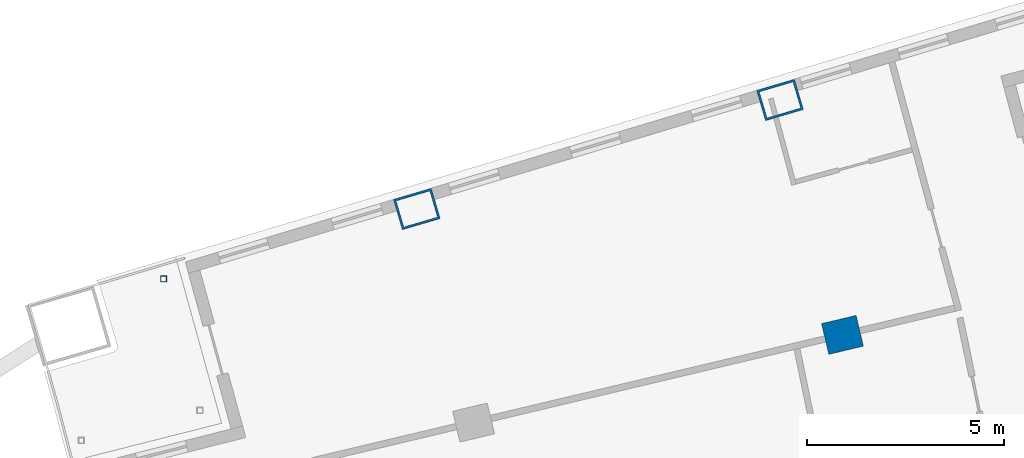
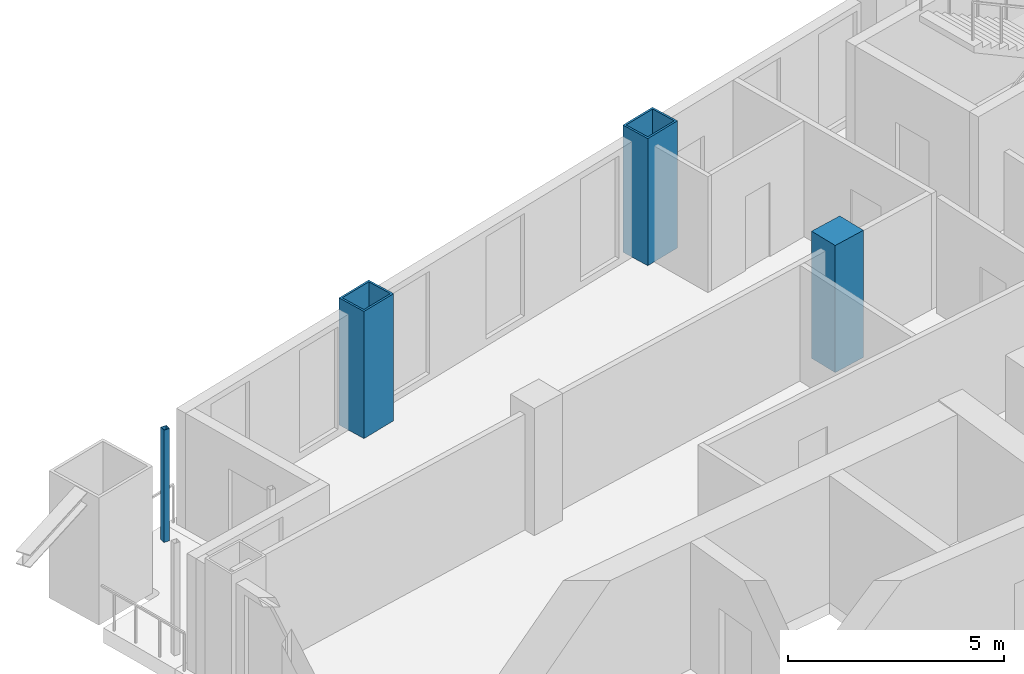
# One storey, part 7 of 19: 4 columns.
"""IFC4 building model written with IfcOpenShell, lengths in metres."""

from ifc_helpers import new_model, si_unit, direction, frame, origin, origin_2d, place, context, subcontext, project, spatial, rectangle, hollow_rectangle, extrude, material, material_profile, profile_set, type_object, element, save


model = new_model("IFC4")

# Units and contexts
model_context = context("Model", 3, precision=1e-05, world=origin(), true_north=direction((0.0, 1.0)))
body_context = subcontext(model_context, "Body", "Model", "MODEL_VIEW")
ifc_project = project(units=[si_unit("LENGTHUNIT", "METRE"), si_unit("AREAUNIT", "SQUARE_METRE"), si_unit("VOLUMEUNIT", "CUBIC_METRE"), si_unit("PLANEANGLEUNIT", "RADIAN"), si_unit("MASSUNIT", "GRAM", prefix="KILO")], contexts=[model_context])

# Site, building, storey
site_placement = place(None, origin())
site = spatial("IfcSite", under=ifc_project, at=site_placement, CompositionType="ELEMENT")
building_placement = place(site_placement, origin())
building = spatial("IfcBuilding", under=site, at=building_placement, Name="Alderwake Tower", CompositionType="ELEMENT")
storey_placement = place(building_placement, frame((0.0, 0.0, 174.800048828125)))
storey = spatial("IfcBuildingStorey", under=building, at=storey_placement, Name="L43", CompositionType="ELEMENT", Elevation=174.800048828125)

# Columns
ifc_material_1 = material(Name="Steel ASTM A572 Grade 50 concrete filled C70/85", Category="concrete")
ifc_material_profile_1 = material_profile(ifc_material_1, hollow_rectangle(XDim=0.800048828125, YDim=1.0, WallThickness=0.054931640625, at=origin_2d()), Name="BOX 1000X800X55")
ifc_profile_set_1 = profile_set([ifc_material_profile_1], Name="Steel ASTM A572 Grade 50 concrete filled C70/85")
column_type_1 = type_object("IfcColumnType", Name="End column Z3", PredefinedType="COLUMN", material=ifc_profile_set_1)
for number, where, z_axis, x_axis, name in (
    (1, (21.885498046875, 90.96240234375, 0.0), (0.0, 0.0, 1.0), (-0.282132160283, 0.95937554906, 0.0), "Column R12-C1"),
    (2, (31.080322265625, 93.72314453125, 0.0), (0.0, 0.0, 1.0), (-0.282582549822, 0.959242984095, 0.0), "Column R12-C2"),
):
    element("IfcColumn", number, at=place(storey_placement, frame(where, z_axis=z_axis, x_axis=x_axis)), inside=storey, type_object=column_type_1, Name=name, PredefinedType="COLUMN", context=body_context, shape_type="SweptSolid", body=[
        extrude(hollow_rectangle(XDim=0.800048828125, YDim=1.0, WallThickness=0.054931640625, at=origin_2d()), origin(), (0.0, 0.0, 1.0), 3.599853515625),
    ])
ifc_material_2 = material(Name="Concrete C70/85", Category="concrete")
ifc_material_profile_2 = material_profile(ifc_material_2, rectangle(XDim=0.800048828125, YDim=0.89990234375, at=origin_2d()), Name="RC 900X800")
ifc_profile_set_2 = profile_set([ifc_material_profile_2], Name="Concrete C70/85")
column_type_2 = type_object("IfcColumnType", Name="Interior column Z3", PredefinedType="COLUMN", material=ifc_profile_set_2)
column_1_placement = place(storey_placement, frame((32.661865234375, 87.775390625, 0.0), z_axis=(0.0, 0.0, 1.0), x_axis=(-0.231221547198, 0.972901123502, 0.0)))
element("IfcColumn", 3, at=column_1_placement, inside=storey, type_object=column_type_2, Name="Column R11-C2", PredefinedType="COLUMN", context=body_context, shape_type="SweptSolid", body=[
    extrude(rectangle(XDim=0.800048828125, YDim=0.89990234375, at=origin_2d()), origin(), (0.0, 0.0, 1.0), 3.599853515625),
])
ifc_material_3 = material(Name="Steel ASTM A500 Grade C", Category="steel")
ifc_material_profile_3 = material_profile(ifc_material_3, hollow_rectangle(XDim=0.15234375, YDim=0.15234375, WallThickness=0.0087890625, at=origin_2d()), Name="HSS6X6X3/8")
ifc_profile_set_3 = profile_set([ifc_material_profile_3], Name="Steel ASTM A500 Grade C")
column_type_3 = type_object("IfcColumnType", Name="Light post HSS6X6X3/8", PredefinedType="COLUMN", material=ifc_profile_set_3)
column_2_placement = place(storey_placement, frame((15.47412109375, 89.194091796875, 0.0), z_axis=(0.0, 0.0, 1.0), x_axis=(1.0, 0.0, 0.0)))
element("IfcColumn", 4, at=column_2_placement, inside=storey, type_object=column_type_3, Name="Terrace post RN2", PredefinedType="COLUMN", context=body_context, shape_type="SweptSolid", body=[
    extrude(hollow_rectangle(XDim=0.15234375, YDim=0.15234375, WallThickness=0.0087890625, at=origin_2d()), origin(), (0.0, 0.0, 1.0), 3.179931640625),
])

save(model, "model.ifc")
